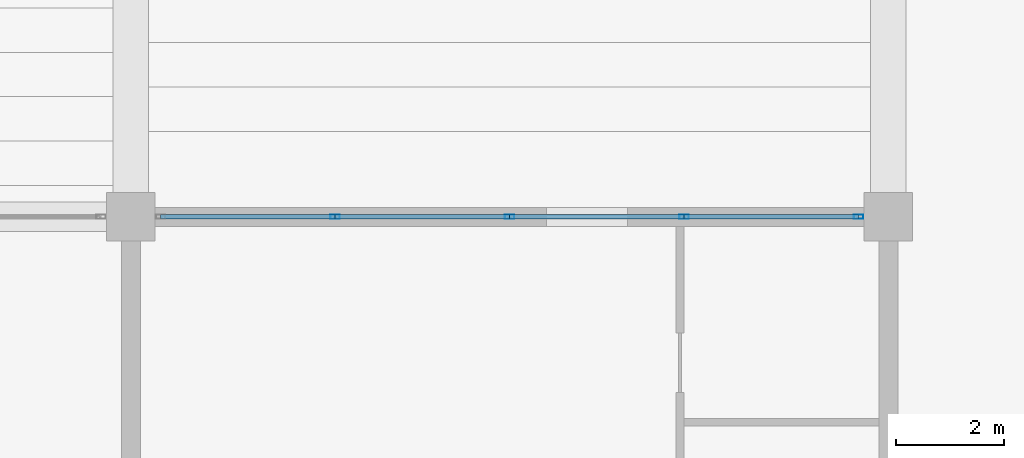
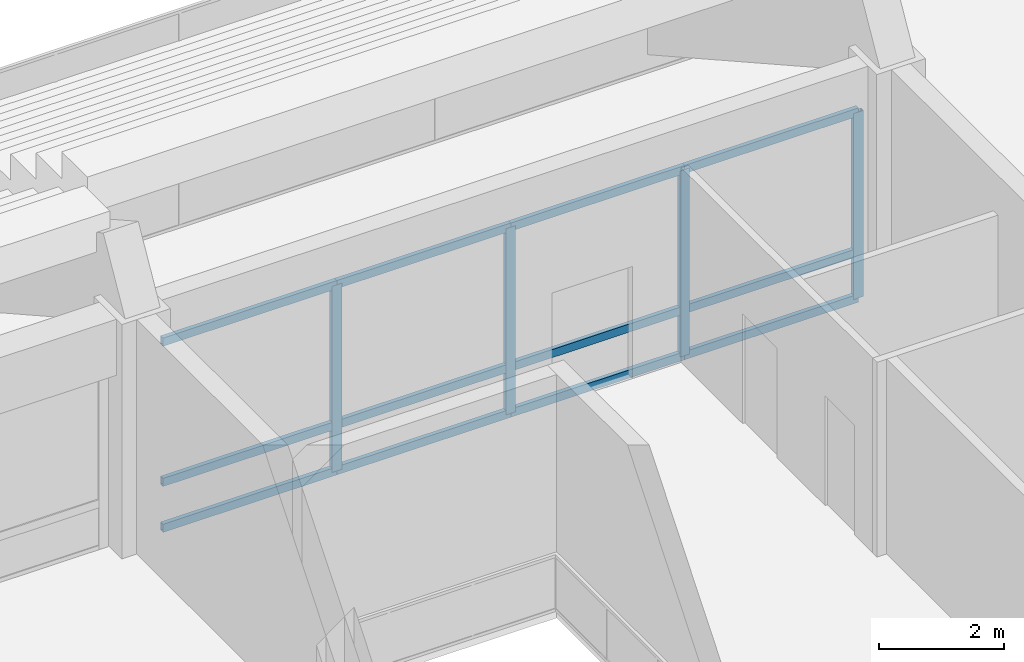
# One storey, part 23 of 94: 16 members, 1 element without a shape of its own.
"""IFC4 building model written with IfcOpenShell, lengths in metres."""

import ifcopenshell
import ifcopenshell.guid

model = None  # the IFC model being written
_history = None  # IfcOwnerHistory: only IFC2X3 demands one
_inside = {}  # id of a spatial element -> (the spatial element, [elements in it])
_under = {}  # id of a project, library or spatial element -> (it, [spatial elements below it])
_declared = {}  # id of a project -> (the project, [libraries it declares])
_typed = {}  # id of a type object -> (the type object, [elements of that type])
_made_of = {}  # id of a material, layer set ... -> (it, [elements and type objects made of it])


def new_model(schema):
    """Start an empty IFC model of exactly this schema.

    Asked for "IFC4X3", IfcOpenShell would pick the latest addendum, in which some entities
    have other attributes; the version numbers below select the first issue.
    IFC2X3 requires an IfcOwnerHistory on every rooted entity: one is made here for all.
    """
    global model, _history
    if schema == "IFC4X3":
        model = ifcopenshell.file(schema_version=(4, 3, 0, 0))
    else:
        model = ifcopenshell.file(schema=schema)
    _inside.clear()
    _under.clear()
    _declared.clear()
    _typed.clear()
    _made_of.clear()
    _history = None
    if model.schema == "IFC2X3":
        org = make("IfcOrganization", Name="unknown")
        user = make(
            "IfcPersonAndOrganization",
            ThePerson=make("IfcPerson", FamilyName="unknown"),
            TheOrganization=org,
        )
        app = make(
            "IfcApplication",
            ApplicationDeveloper=org,
            Version="unknown",
            ApplicationFullName="unknown",
            ApplicationIdentifier="unknown",
        )
        _history = make(
            "IfcOwnerHistory",
            OwningUser=user,
            OwningApplication=app,
            ChangeAction="ADDED",
            CreationDate=0,
        )
    return model


def make(cls, **values):
    """One entity of the class cls with the attributes given. An attribute that is None is left unset."""
    return model.create_entity(
        cls, **{name: value for name, value in values.items() if value is not None}
    )


def rooted(cls, **values):
    """An entity with a GlobalId (a new one), such as an element, a storey or a relation."""
    return make(cls, GlobalId=ifcopenshell.guid.new(), OwnerHistory=_history, **values)


def si_unit(unit_type, name, prefix=None):
    """IfcSIUnit, for example si_unit("LENGTHUNIT", "METRE", prefix="MILLI")."""
    return make("IfcSIUnit", UnitType=unit_type, Prefix=prefix, Name=name)


def assignment(units):
    """IfcUnitAssignment: the units of a project."""
    return None if units is None else make("IfcUnitAssignment", Units=units)


def point(xyz):
    """IfcCartesianPoint."""
    return None if xyz is None else make("IfcCartesianPoint", Coordinates=xyz)


def direction(xyz):
    """IfcDirection."""
    return None if xyz is None else make("IfcDirection", DirectionRatios=xyz)


def frame(location, z_axis=None, x_axis=None):
    """IfcAxis2Placement3D, a coordinate frame: its origin and axes. An axis left out is left unset."""
    return make(
        "IfcAxis2Placement3D",
        Location=point(location),
        Axis=direction(z_axis),
        RefDirection=direction(x_axis),
    )


def frame_2d(location, x_axis=None):
    """IfcAxis2Placement2D, a coordinate frame in the plane: its origin and x axis."""
    return make(
        "IfcAxis2Placement2D", Location=point(location), RefDirection=direction(x_axis)
    )


def origin():
    """The frame at (0, 0, 0) with its axes left unset."""
    return frame((0.0, 0.0, 0.0))


def origin_2d():
    """The frame at (0, 0) in the plane with its x axis left unset."""
    return frame_2d((0.0, 0.0))


def place(relative_to, where):
    """IfcLocalPlacement: puts the frame where relative to a parent placement (None: the world)."""
    return make(
        "IfcLocalPlacement", PlacementRelTo=relative_to, RelativePlacement=where
    )


def context(
    kind, dimensions, precision=None, world=None, true_north=None, identifier=None
):
    """IfcGeometricRepresentationContext, for example the 3D "Model" context."""
    return make(
        "IfcGeometricRepresentationContext",
        ContextIdentifier=identifier,
        ContextType=kind,
        CoordinateSpaceDimension=dimensions,
        Precision=precision,
        WorldCoordinateSystem=world,
        TrueNorth=true_north,
    )


def subcontext(parent, identifier, kind, view, scale=None):
    """IfcGeometricRepresentationSubContext, for example "Body" below "Model"."""
    return make(
        "IfcGeometricRepresentationSubContext",
        ContextIdentifier=identifier,
        ContextType=kind,
        ParentContext=parent,
        TargetScale=scale,
        TargetView=view,
    )


def project(units=None, contexts=None):
    """IfcProject with its units and contexts."""
    return rooted(
        "IfcProject",
        Name="project",
        RepresentationContexts=contexts,
        UnitsInContext=assignment(units),
    )


def spatial(cls, under=None, at=None, **own):
    """A site, building, storey or space (cls), placed at a placement, below another one or the project."""
    s = rooted(cls, ObjectPlacement=at, **own)
    if under is not None:
        _under.setdefault(under.id(), (under, []))[1].append(s)
    return s


def profile(cls, at=None, kind="AREA", **sizes):
    """A parametric profile (cls). Its sizes go by their IFC names, for example OverallWidth=200.0."""
    return make(cls, ProfileType=kind, Position=at, **sizes)


def hollow_rectangle(**sizes):
    """IfcRectangleHollowProfileDef."""
    return profile("IfcRectangleHollowProfileDef", **sizes)


def extrude(swept, where, along, depth):
    """IfcExtrudedAreaSolid: the profile swept, set in the frame where, extruded along a direction by depth."""
    return make(
        "IfcExtrudedAreaSolid",
        SweptArea=swept,
        Position=where,
        ExtrudedDirection=direction(along),
        Depth=depth,
    )


def shape(context_of_items, identifier, shape_type, items):
    """IfcShapeRepresentation: the items that make up one representation, for example the "Body"."""
    return make(
        "IfcShapeRepresentation",
        ContextOfItems=context_of_items,
        RepresentationIdentifier=identifier,
        RepresentationType=shape_type,
        Items=items,
    )


def material(Name=None, Category=None):
    """IfcMaterial."""
    return make("IfcMaterial", Name=Name, Category=Category)


def material_profile(
    of_material, cross_section, Name=None, Category=None, Priority=None
):
    """IfcMaterialProfile: a cross section and its material."""
    return make(
        "IfcMaterialProfile",
        Name=Name,
        Material=of_material,
        Profile=cross_section,
        Priority=Priority,
        Category=Category,
    )


def profile_set(profiles, Name=None, composite=None):
    """IfcMaterialProfileSet."""
    return make(
        "IfcMaterialProfileSet",
        Name=Name,
        MaterialProfiles=profiles,
        CompositeProfile=composite,
    )


def made_of(thing, what):
    """Note that an element or type object is made of a material, layer set ...; save() writes the relation."""
    if what is not None:
        _made_of.setdefault(what.id(), (what, []))[1].append(thing)
    return thing


def type_object(cls, material=None, **own):
    """A type object (cls), such as IfcWallType, which elements share."""
    return made_of(rooted(cls, **own), material)


def element(
    cls,
    number,
    at=None,
    inside=None,
    cuts=None,
    type_object=None,
    material=None,
    context=None,
    identifier="Body",
    shape_type=None,
    held_by="IfcProductDefinitionShape",
    body=None,
    shapes=None,
    **own,
):
    """One element of the class cls, such as IfcWall. Its Tag is "e" and its number.

    at: its placement. inside: the storey or other place that contains it. cuts: it is an
    opening in that element (IfcRelVoidsElement). A single representation is given by context,
    identifier, shape_type and body (its items); several are given by shapes. held_by: the class
    of the entity that holds the representations. save() writes the other relations.
    """
    e = rooted(cls, Tag="e%d" % number, ObjectPlacement=at, **own)
    if body is not None:
        shapes = [shape(context, identifier, shape_type, body)]
    if shapes is not None:
        e.Representation = make(held_by, Representations=shapes)
    if inside is not None:
        _inside.setdefault(inside.id(), (inside, []))[1].append(e)
    if cuts is not None:
        rooted(
            "IfcRelVoidsElement", RelatingBuildingElement=cuts, RelatedOpeningElement=e
        )
    if type_object is not None:
        _typed.setdefault(type_object.id(), (type_object, []))[1].append(e)
    return made_of(e, material)


def aggregate(whole, parts):
    """IfcRelAggregates: a whole, such as a stair, and the parts it consists of."""
    return rooted("IfcRelAggregates", RelatingObject=whole, RelatedObjects=parts)


def save(model, path):
    """Write the relations noted so far, then the file.

    IfcRelAggregates (storeys below a building ...), IfcRelContainedInSpatialStructure (elements
    in a storey), IfcRelDefinesByType, IfcRelAssociatesMaterial and IfcRelDeclares: one each for
    every whole, place, type object, material and project.
    """
    for whole, parts in _under.values():
        aggregate(whole, parts)
    for where, things in _inside.values():
        rooted(
            "IfcRelContainedInSpatialStructure",
            RelatedElements=things,
            RelatingStructure=where,
        )
    for kind, things in _typed.values():
        rooted("IfcRelDefinesByType", RelatedObjects=things, RelatingType=kind)
    for what, things in _made_of.values():
        rooted("IfcRelAssociatesMaterial", RelatedObjects=things, RelatingMaterial=what)
    for by, libraries in _declared.values():
        rooted("IfcRelDeclares", RelatingContext=by, RelatedDefinitions=libraries)
    model.write(path)


model = new_model("IFC4")

# Units and contexts
model_context = context("Model", 3, precision=1e-05, world=origin(), true_north=direction((0.0, 1.0)))
body_context = subcontext(model_context, "Body", "Model", "MODEL_VIEW")
ifc_project = project(units=[si_unit("LENGTHUNIT", "METRE"), si_unit("AREAUNIT", "SQUARE_METRE"), si_unit("VOLUMEUNIT", "CUBIC_METRE"), si_unit("PLANEANGLEUNIT", "RADIAN"), si_unit("MASSUNIT", "GRAM", prefix="KILO")], contexts=[model_context])

# Site, building, storey
site_placement = place(None, origin())
site = spatial("IfcSite", under=ifc_project, at=site_placement, CompositionType="ELEMENT")
building_placement = place(site_placement, origin())
building = spatial("IfcBuilding", under=site, at=building_placement, Name="Linyun Crest Stadium", CompositionType="ELEMENT")
storey_placement = place(building_placement, frame((0.0, 0.0, 16.199951171875)))
storey = spatial("IfcBuildingStorey", under=building, at=storey_placement, Name="L04", CompositionType="ELEMENT", Elevation=16.199951171875)

# Curtain wall, members
ifc_material_1 = material(Name="Verdigris steel and low-E curtain wall assembly", Category="steel")
curtain_wall_type = type_object("IfcCurtainWallType", Name="MCW01", PredefinedType="NOTDEFINED", material=ifc_material_1)
curtain_wall_placement = place(storey_placement, origin())
curtain_wall = element("IfcCurtainWall", 1, at=curtain_wall_placement, inside=storey, type_object=curtain_wall_type, Name="CWR-154", PredefinedType="NOTDEFINED")
ifc_material_2 = material(Name="Verdigris painted steel Q355B mullion", Category="steel")
ifc_material_profile_1 = material_profile(ifc_material_2, hollow_rectangle(XDim=0.080078125, YDim=0.179931640625, WallThickness=0.006103515625, at=origin_2d()), Name="RHS 180x80x6")
ifc_profile_set_1 = profile_set([ifc_material_profile_1], Name="Verdigris painted steel Q355B mullion")
member_type_1 = type_object("IfcMemberType", Name="ML02", PredefinedType="MULLION", material=ifc_profile_set_1)
member_1_placement = place(storey_placement, frame((17.77490234375, -73.5, 0.0), z_axis=(0.0, 0.0, 1.0), x_axis=(0.0, 1.0, 0.0)))
member_1 = element("IfcMember", 2, at=member_1_placement, type_object=member_type_1, Name="CWR-154 mullion 2", PredefinedType="MULLION", context=body_context, shape_type="SweptSolid", body=[
    extrude(hollow_rectangle(XDim=0.080078125, YDim=0.179931640625, WallThickness=0.006103515625, at=origin_2d()), origin(), (0.0, 0.0, 1.0), 3.650146484375),
])
member_2_placement = place(storey_placement, frame((21.0, -73.5, 0.0), z_axis=(0.0, 0.0, 1.0), x_axis=(0.0, 1.0, 0.0)))
member_2 = element("IfcMember", 3, at=member_2_placement, type_object=member_type_1, Name="CWR-154 mullion 3", PredefinedType="MULLION", context=body_context, shape_type="SweptSolid", body=[
    extrude(hollow_rectangle(XDim=0.080078125, YDim=0.179931640625, WallThickness=0.006103515625, at=origin_2d()), origin(), (0.0, 0.0, 1.0), 3.650146484375),
])
member_3_placement = place(storey_placement, frame((24.22509765625, -73.5, 0.0), z_axis=(0.0, 0.0, 1.0), x_axis=(0.0, 1.0, 0.0)))
member_3 = element("IfcMember", 4, at=member_3_placement, type_object=member_type_1, Name="CWR-154 mullion 4", PredefinedType="MULLION", context=body_context, shape_type="SweptSolid", body=[
    extrude(hollow_rectangle(XDim=0.080078125, YDim=0.179931640625, WallThickness=0.006103515625, at=origin_2d()), origin(), (0.0, 0.0, 1.0), 3.650146484375),
])
member_4_placement = place(storey_placement, frame((27.449951171875, -73.5, 0.0), z_axis=(0.0, 0.0, 1.0), x_axis=(0.0, 1.0, 0.0)))
member_4 = element("IfcMember", 5, at=member_4_placement, type_object=member_type_1, Name="CWR-154 mullion 5", PredefinedType="MULLION", context=body_context, shape_type="SweptSolid", body=[
    extrude(hollow_rectangle(XDim=0.080078125, YDim=0.179931640625, WallThickness=0.006103515625, at=origin_2d()), origin(), (0.0, 0.0, 1.0), 3.650146484375),
])
ifc_material_3 = material(Name="Aluminium thermally broken transom", Category="aluminium")
ifc_material_profile_2 = material_profile(ifc_material_3, hollow_rectangle(XDim=0.080078125, YDim=0.159912109375, WallThickness=0.006103515625, at=origin_2d()), Name="RHS 160x80x6")
ifc_profile_set_2 = profile_set([ifc_material_profile_2], Name="Aluminium thermally broken transom")
member_type_2 = type_object("IfcMemberType", Name="TR01", PredefinedType="USERDEFINED", material=ifc_profile_set_2)
member_5_placement = place(storey_placement, frame((14.550048828125, -73.5, 0.0), z_axis=(1.0, 0.0, 0.0), x_axis=(0.0, 1.0, 0.0)))
member_5 = element("IfcMember", 6, at=member_5_placement, type_object=member_type_2, Name="CWR-154 transom 1.1", ObjectType="TRANSOM", PredefinedType="USERDEFINED", context=body_context, shape_type="SweptSolid", body=[
    extrude(hollow_rectangle(XDim=0.080078125, YDim=0.159912109375, WallThickness=0.006103515625, at=origin_2d()), origin(), (0.0, 0.0, 1.0), 3.224853515625),
])
member_6_placement = place(storey_placement, frame((14.550048828125, -73.5, 0.900146484375), z_axis=(1.0, 0.0, 0.0), x_axis=(0.0, 1.0, 0.0)))
member_6 = element("IfcMember", 7, at=member_6_placement, type_object=member_type_2, Name="CWR-154 transom 1.2", ObjectType="TRANSOM", PredefinedType="USERDEFINED", context=body_context, shape_type="SweptSolid", body=[
    extrude(hollow_rectangle(XDim=0.080078125, YDim=0.159912109375, WallThickness=0.006103515625, at=origin_2d()), origin(), (0.0, 0.0, 1.0), 3.224853515625),
])
member_7_placement = place(storey_placement, frame((14.550048828125, -73.5, 3.650146484375), z_axis=(1.0, 0.0, 0.0), x_axis=(0.0, 1.0, 0.0)))
member_7 = element("IfcMember", 8, at=member_7_placement, type_object=member_type_2, Name="CWR-154 transom 1.3", ObjectType="TRANSOM", PredefinedType="USERDEFINED", context=body_context, shape_type="SweptSolid", body=[
    extrude(hollow_rectangle(XDim=0.080078125, YDim=0.159912109375, WallThickness=0.006103515625, at=origin_2d()), origin(), (0.0, 0.0, 1.0), 3.224853515625),
])
member_8_placement = place(storey_placement, frame((17.77490234375, -73.5, 0.0), z_axis=(1.0, 0.0, 0.0), x_axis=(0.0, 1.0, 0.0)))
member_8 = element("IfcMember", 9, at=member_8_placement, type_object=member_type_2, Name="CWR-154 transom 2.1", ObjectType="TRANSOM", PredefinedType="USERDEFINED", context=body_context, shape_type="SweptSolid", body=[
    extrude(hollow_rectangle(XDim=0.080078125, YDim=0.159912109375, WallThickness=0.006103515625, at=origin_2d()), origin(), (0.0, 0.0, 1.0), 3.22509765625),
])
member_9_placement = place(storey_placement, frame((17.77490234375, -73.5, 0.900146484375), z_axis=(1.0, 0.0, 0.0), x_axis=(0.0, 1.0, 0.0)))
member_9 = element("IfcMember", 10, at=member_9_placement, type_object=member_type_2, Name="CWR-154 transom 2.2", ObjectType="TRANSOM", PredefinedType="USERDEFINED", context=body_context, shape_type="SweptSolid", body=[
    extrude(hollow_rectangle(XDim=0.080078125, YDim=0.159912109375, WallThickness=0.006103515625, at=origin_2d()), origin(), (0.0, 0.0, 1.0), 3.22509765625),
])
member_10_placement = place(storey_placement, frame((17.77490234375, -73.5, 3.650146484375), z_axis=(1.0, 0.0, 0.0), x_axis=(0.0, 1.0, 0.0)))
member_10 = element("IfcMember", 11, at=member_10_placement, type_object=member_type_2, Name="CWR-154 transom 2.3", ObjectType="TRANSOM", PredefinedType="USERDEFINED", context=body_context, shape_type="SweptSolid", body=[
    extrude(hollow_rectangle(XDim=0.080078125, YDim=0.159912109375, WallThickness=0.006103515625, at=origin_2d()), origin(), (0.0, 0.0, 1.0), 3.22509765625),
])
member_11_placement = place(storey_placement, frame((21.0, -73.5, 0.0), z_axis=(1.0, 0.0, 0.0), x_axis=(0.0, 1.0, 0.0)))
member_11 = element("IfcMember", 12, at=member_11_placement, type_object=member_type_2, Name="CWR-154 transom 3.1", ObjectType="TRANSOM", PredefinedType="USERDEFINED", context=body_context, shape_type="SweptSolid", body=[
    extrude(hollow_rectangle(XDim=0.080078125, YDim=0.159912109375, WallThickness=0.006103515625, at=origin_2d()), origin(), (0.0, 0.0, 1.0), 3.22509765625),
])
member_12_placement = place(storey_placement, frame((21.0, -73.5, 0.900146484375), z_axis=(1.0, 0.0, 0.0), x_axis=(0.0, 1.0, 0.0)))
member_12 = element("IfcMember", 13, at=member_12_placement, type_object=member_type_2, Name="CWR-154 transom 3.2", ObjectType="TRANSOM", PredefinedType="USERDEFINED", context=body_context, shape_type="SweptSolid", body=[
    extrude(hollow_rectangle(XDim=0.080078125, YDim=0.159912109375, WallThickness=0.006103515625, at=origin_2d()), origin(), (0.0, 0.0, 1.0), 3.22509765625),
])
member_13_placement = place(storey_placement, frame((21.0, -73.5, 3.650146484375), z_axis=(1.0, 0.0, 0.0), x_axis=(0.0, 1.0, 0.0)))
member_13 = element("IfcMember", 14, at=member_13_placement, type_object=member_type_2, Name="CWR-154 transom 3.3", ObjectType="TRANSOM", PredefinedType="USERDEFINED", context=body_context, shape_type="SweptSolid", body=[
    extrude(hollow_rectangle(XDim=0.080078125, YDim=0.159912109375, WallThickness=0.006103515625, at=origin_2d()), origin(), (0.0, 0.0, 1.0), 3.22509765625),
])
member_14_placement = place(storey_placement, frame((24.22509765625, -73.5, 0.0), z_axis=(1.0, 0.0, 0.0), x_axis=(0.0, 1.0, 0.0)))
member_14 = element("IfcMember", 15, at=member_14_placement, type_object=member_type_2, Name="CWR-154 transom 4.1", ObjectType="TRANSOM", PredefinedType="USERDEFINED", context=body_context, shape_type="SweptSolid", body=[
    extrude(hollow_rectangle(XDim=0.080078125, YDim=0.159912109375, WallThickness=0.006103515625, at=origin_2d()), origin(), (0.0, 0.0, 1.0), 3.224853515625),
])
member_15_placement = place(storey_placement, frame((24.22509765625, -73.5, 0.900146484375), z_axis=(1.0, 0.0, 0.0), x_axis=(0.0, 1.0, 0.0)))
member_15 = element("IfcMember", 16, at=member_15_placement, type_object=member_type_2, Name="CWR-154 transom 4.2", ObjectType="TRANSOM", PredefinedType="USERDEFINED", context=body_context, shape_type="SweptSolid", body=[
    extrude(hollow_rectangle(XDim=0.080078125, YDim=0.159912109375, WallThickness=0.006103515625, at=origin_2d()), origin(), (0.0, 0.0, 1.0), 3.224853515625),
])
member_16_placement = place(storey_placement, frame((24.22509765625, -73.5, 3.650146484375), z_axis=(1.0, 0.0, 0.0), x_axis=(0.0, 1.0, 0.0)))
member_16 = element("IfcMember", 17, at=member_16_placement, type_object=member_type_2, Name="CWR-154 transom 4.3", ObjectType="TRANSOM", PredefinedType="USERDEFINED", context=body_context, shape_type="SweptSolid", body=[
    extrude(hollow_rectangle(XDim=0.080078125, YDim=0.159912109375, WallThickness=0.006103515625, at=origin_2d()), origin(), (0.0, 0.0, 1.0), 3.224853515625),
])
aggregate(curtain_wall, [member_1, member_2, member_3, member_4, member_5, member_6, member_7, member_8, member_9, member_10, member_11, member_12, member_13, member_14, member_15, member_16])

save(model, "model.ifc")
